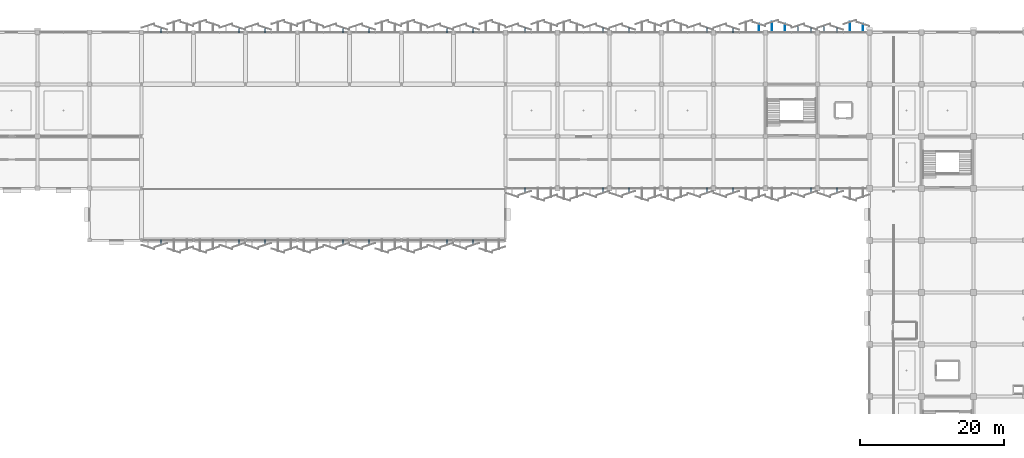
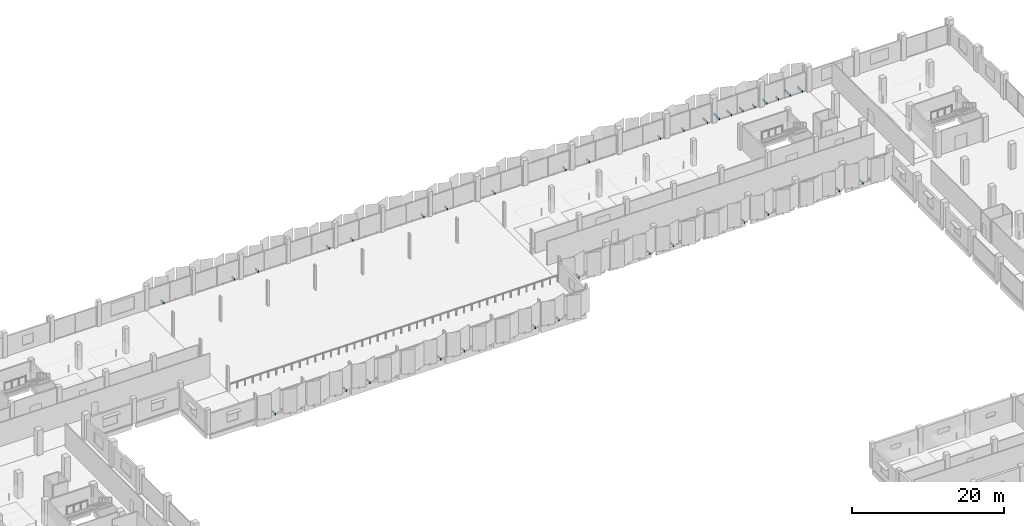
# One storey, part 103 of 107: 35 discrete accessories.
"""IFC4 building model written with IfcOpenShell, lengths in metres."""

from ifc_helpers import new_model, si_unit, direction, frame, origin, origin_2d, place, context, subcontext, project, spatial, rectangle, extrude, material, type_object, element, save


model = new_model("IFC4")

# Units and contexts
model_context = context("Model", 3, precision=1e-05, world=origin(), true_north=direction((0.0, 1.0)))
body_context = subcontext(model_context, "Body", "Model", "MODEL_VIEW")
ifc_project = project(units=[si_unit("LENGTHUNIT", "METRE"), si_unit("AREAUNIT", "SQUARE_METRE"), si_unit("VOLUMEUNIT", "CUBIC_METRE"), si_unit("PLANEANGLEUNIT", "RADIAN"), si_unit("MASSUNIT", "GRAM", prefix="KILO")], contexts=[model_context])

# Site, building, storey
site_placement = place(None, origin())
site = spatial("IfcSite", under=ifc_project, at=site_placement, CompositionType="ELEMENT")
building_placement = place(site_placement, origin())
building = spatial("IfcBuilding", under=site, at=building_placement, Name="Kangsadwip Square Police Headquarters", CompositionType="ELEMENT")
storey_placement = place(building_placement, frame((0.0, 0.0, 5.39990234375)))
storey = spatial("IfcBuildingStorey", under=building, at=storey_placement, Name="L01", CompositionType="ELEMENT", Elevation=5.39990234375)

# Discrete accessories
ifc_material = material(Name="Structural steel IS 2062 E350 (Grade 350, 350 MPa)", Category="steel")
discrete_accessory_type = type_object("IfcDiscreteAccessoryType", Name="VeilOutriggerBracket", PredefinedType="BRACKET", material=ifc_material)
for number, where, z_axis, x_axis, name in (
    (1, (45.89990234375, 115.502685546875, -0.06005859375), (0.0, 0.0, 1.0), (1.0, 0.0, 0.0), "Veil Outrigger Bracket VBK-L01-0002"),
    (2, (56.699951171875, 115.502685546875, -0.06005859375), (0.0, 0.0, 1.0), (1.0, 0.0, 0.0), "Veil Outrigger Bracket VBK-L01-0008"),
    (3, (60.300048828125, 115.502685546875, -0.06005859375), (0.0, 0.0, 1.0), (1.0, 0.0, 0.0), "Veil Outrigger Bracket VBK-L01-0010"),
    (4, (71.10009765625, 115.502685546875, -0.06005859375), (0.0, 0.0, 1.0), (1.0, 0.0, 0.0), "Veil Outrigger Bracket VBK-L01-0016"),
    (5, (74.699951171875, 115.502685546875, -0.06005859375), (0.0, 0.0, 1.0), (1.0, 0.0, 0.0), "Veil Outrigger Bracket VBK-L01-0018"),
    (6, (85.5, 115.502685546875, -0.06005859375), (0.0, 0.0, 1.0), (1.0, 0.0, 0.0), "Veil Outrigger Bracket VBK-L01-0024"),
    (7, (89.10009765625, 115.502685546875, -0.06005859375), (0.0, 0.0, 1.0), (1.0, 0.0, 0.0), "Veil Outrigger Bracket VBK-L01-0026"),
    (8, (96.300048828125, 115.502685546875, -0.06005859375), (0.0, 0.0, 1.0), (1.0, 0.0, 0.0), "Veil Outrigger Bracket VBK-L01-0058"),
    (9, (107.10009765625, 115.502685546875, -0.06005859375), (0.0, 0.0, 1.0), (1.0, 0.0, 0.0), "Veil Outrigger Bracket VBK-L01-0064"),
    (10, (110.699951171875, 115.502685546875, -0.06005859375), (0.0, 0.0, 1.0), (1.0, 0.0, 0.0), "Veil Outrigger Bracket VBK-L01-0066"),
    (11, (121.5, 115.502685546875, -0.06005859375), (0.0, 0.0, 1.0), (1.0, 0.0, 0.0), "Veil Outrigger Bracket VBK-L01-0072"),
    (12, (125.10009765625, 115.502685546875, -0.06005859375), (0.0, 0.0, 1.0), (1.0, 0.0, 0.0), "Veil Outrigger Bracket VBK-L01-0074"),
):
    element("IfcDiscreteAccessory", number, at=place(storey_placement, frame(where, z_axis=z_axis, x_axis=x_axis)), inside=storey, type_object=discrete_accessory_type, Name=name, PredefinedType="BRACKET", context=body_context, shape_type="SweptSolid", body=[
        extrude(rectangle(XDim=0.1201171875, YDim=0.765380859375, at=origin_2d()), origin(), (0.0, 0.0, 1.0), 0.340087890625),
    ])
discrete_accessory_1_placement = place(storey_placement, frame((128.699951171875, 115.75732421875, -0.06005859375), z_axis=(0.0, 0.0, 1.0), x_axis=(1.0, 0.0, 0.0)))
element("IfcDiscreteAccessory", 13, at=discrete_accessory_1_placement, inside=storey, type_object=discrete_accessory_type, Name="Veil Outrigger Bracket VBK-L01-0076", PredefinedType="BRACKET", context=body_context, shape_type="SweptSolid", body=[
    extrude(rectangle(XDim=0.1201171875, YDim=1.274658203125, at=origin_2d()), origin(), (0.0, 0.0, 1.0), 0.340087890625),
])
discrete_accessory_2_placement = place(storey_placement, frame((130.5, 115.897216796875, -0.06005859375), z_axis=(0.0, 0.0, 1.0), x_axis=(1.0, 0.0, 0.0)))
element("IfcDiscreteAccessory", 14, at=discrete_accessory_2_placement, inside=storey, type_object=discrete_accessory_type, Name="Veil Outrigger Bracket VBK-L01-0077", PredefinedType="BRACKET", context=body_context, shape_type="SweptSolid", body=[
    extrude(rectangle(XDim=0.1201171875, YDim=1.5546875, at=origin_2d()), origin(), (0.0, 0.0, 1.0), 0.340087890625),
])
discrete_accessory_3_placement = place(storey_placement, frame((132.300048828125, 115.75732421875, -0.06005859375), z_axis=(0.0, 0.0, 1.0), x_axis=(1.0, 0.0, 0.0)))
element("IfcDiscreteAccessory", 15, at=discrete_accessory_3_placement, inside=storey, type_object=discrete_accessory_type, Name="Veil Outrigger Bracket VBK-L01-0078", PredefinedType="BRACKET", context=body_context, shape_type="SweptSolid", body=[
    extrude(rectangle(XDim=0.1201171875, YDim=1.274658203125, at=origin_2d()), origin(), (0.0, 0.0, 1.0), 0.340087890625),
])
discrete_accessory_4_placement = place(storey_placement, frame((134.10009765625, 115.642578125, -0.06005859375), z_axis=(0.0, 0.0, 1.0), x_axis=(1.0, 0.0, 0.0)))
element("IfcDiscreteAccessory", 16, at=discrete_accessory_4_placement, inside=storey, type_object=discrete_accessory_type, Name="Veil Outrigger Bracket VBK-L01-0079", PredefinedType="BRACKET", context=body_context, shape_type="SweptSolid", body=[
    extrude(rectangle(XDim=0.1201171875, YDim=1.04541015625, at=origin_2d()), origin(), (0.0, 0.0, 1.0), 0.340087890625),
])
discrete_accessory_5_placement = place(storey_placement, frame((135.89990234375, 115.502685546875, -0.06005859375), z_axis=(0.0, 0.0, 1.0), x_axis=(1.0, 0.0, 0.0)))
element("IfcDiscreteAccessory", 17, at=discrete_accessory_5_placement, inside=storey, type_object=discrete_accessory_type, Name="Veil Outrigger Bracket VBK-L01-0080", PredefinedType="BRACKET", context=body_context, shape_type="SweptSolid", body=[
    extrude(rectangle(XDim=0.1201171875, YDim=0.765380859375, at=origin_2d()), origin(), (0.0, 0.0, 1.0), 0.340087890625),
])
discrete_accessory_6_placement = place(storey_placement, frame((137.699951171875, 115.642578125, -0.06005859375), z_axis=(0.0, 0.0, 1.0), x_axis=(1.0, 0.0, 0.0)))
element("IfcDiscreteAccessory", 18, at=discrete_accessory_6_placement, inside=storey, type_object=discrete_accessory_type, Name="Veil Outrigger Bracket VBK-L01-0081", PredefinedType="BRACKET", context=body_context, shape_type="SweptSolid", body=[
    extrude(rectangle(XDim=0.1201171875, YDim=1.04541015625, at=origin_2d()), origin(), (0.0, 0.0, 1.0), 0.340087890625),
])
discrete_accessory_7_placement = place(storey_placement, frame((139.5, 115.502685546875, -0.06005859375), z_axis=(0.0, 0.0, 1.0), x_axis=(1.0, 0.0, 0.0)))
element("IfcDiscreteAccessory", 19, at=discrete_accessory_7_placement, inside=storey, type_object=discrete_accessory_type, Name="Veil Outrigger Bracket VBK-L01-0082", PredefinedType="BRACKET", context=body_context, shape_type="SweptSolid", body=[
    extrude(rectangle(XDim=0.1201171875, YDim=0.765380859375, at=origin_2d()), origin(), (0.0, 0.0, 1.0), 0.340087890625),
])
discrete_accessory_8_placement = place(storey_placement, frame((141.300048828125, 115.897216796875, -0.06005859375), z_axis=(0.0, 0.0, 1.0), x_axis=(1.0, 0.0, 0.0)))
element("IfcDiscreteAccessory", 20, at=discrete_accessory_8_placement, inside=storey, type_object=discrete_accessory_type, Name="Veil Outrigger Bracket VBK-L01-0083", PredefinedType="BRACKET", context=body_context, shape_type="SweptSolid", body=[
    extrude(rectangle(XDim=0.1201171875, YDim=1.5546875, at=origin_2d()), origin(), (0.0, 0.0, 1.0), 0.340087890625),
])
discrete_accessory_9_placement = place(storey_placement, frame((143.10009765625, 115.75732421875, -0.06005859375), z_axis=(0.0, 0.0, 1.0), x_axis=(1.0, 0.0, 0.0)))
element("IfcDiscreteAccessory", 21, at=discrete_accessory_9_placement, inside=storey, type_object=discrete_accessory_type, Name="Veil Outrigger Bracket VBK-L01-0084", PredefinedType="BRACKET", context=body_context, shape_type="SweptSolid", body=[
    extrude(rectangle(XDim=0.1201171875, YDim=1.274658203125, at=origin_2d()), origin(), (0.0, 0.0, 1.0), 0.340087890625),
])
for number, where, z_axis, x_axis, name in (
    (22, (45.89990234375, 86.097412109375, -0.06005859375), (0.0, 0.0, 1.0), (1.0, 0.0, 0.0), "Veil Outrigger Bracket VBK-L01-0198"),
    (23, (56.699951171875, 86.097412109375, -0.06005859375), (0.0, 0.0, 1.0), (1.0, 0.0, 0.0), "Veil Outrigger Bracket VBK-L01-0204"),
    (24, (60.300048828125, 86.097412109375, -0.06005859375), (0.0, 0.0, 1.0), (1.0, 0.0, 0.0), "Veil Outrigger Bracket VBK-L01-0206"),
    (25, (71.10009765625, 86.097412109375, -0.06005859375), (0.0, 0.0, 1.0), (1.0, 0.0, 0.0), "Veil Outrigger Bracket VBK-L01-0212"),
    (26, (74.699951171875, 86.097412109375, -0.06005859375), (0.0, 0.0, 1.0), (1.0, 0.0, 0.0), "Veil Outrigger Bracket VBK-L01-0214"),
    (27, (85.5, 86.097412109375, -0.06005859375), (0.0, 0.0, 1.0), (1.0, 0.0, 0.0), "Veil Outrigger Bracket VBK-L01-0220"),
    (28, (89.10009765625, 86.097412109375, -0.06005859375), (0.0, 0.0, 1.0), (1.0, 0.0, 0.0), "Veil Outrigger Bracket VBK-L01-0222"),
    (29, (96.300048828125, 93.29736328125, -0.06005859375), (0.0, 0.0, 1.0), (1.0, 0.0, 0.0), "Veil Outrigger Bracket VBK-L01-0254"),
    (30, (107.10009765625, 93.29736328125, -0.06005859375), (0.0, 0.0, 1.0), (1.0, 0.0, 0.0), "Veil Outrigger Bracket VBK-L01-0260"),
    (31, (110.699951171875, 93.29736328125, -0.06005859375), (0.0, 0.0, 1.0), (1.0, 0.0, 0.0), "Veil Outrigger Bracket VBK-L01-0262"),
    (32, (121.5, 93.29736328125, -0.06005859375), (0.0, 0.0, 1.0), (1.0, 0.0, 0.0), "Veil Outrigger Bracket VBK-L01-0268"),
    (33, (125.10009765625, 93.29736328125, -0.06005859375), (0.0, 0.0, 1.0), (1.0, 0.0, 0.0), "Veil Outrigger Bracket VBK-L01-0270"),
    (34, (135.89990234375, 93.29736328125, -0.06005859375), (0.0, 0.0, 1.0), (1.0, 0.0, 0.0), "Veil Outrigger Bracket VBK-L01-0276"),
    (35, (139.5, 93.29736328125, -0.06005859375), (0.0, 0.0, 1.0), (1.0, 0.0, 0.0), "Veil Outrigger Bracket VBK-L01-0278"),
):
    element("IfcDiscreteAccessory", number, at=place(storey_placement, frame(where, z_axis=z_axis, x_axis=x_axis)), inside=storey, type_object=discrete_accessory_type, Name=name, PredefinedType="BRACKET", context=body_context, shape_type="SweptSolid", body=[
        extrude(rectangle(XDim=0.1201171875, YDim=0.765380859375, at=origin_2d()), origin(), (0.0, 0.0, 1.0), 0.340087890625),
    ])

save(model, "model.ifc")
